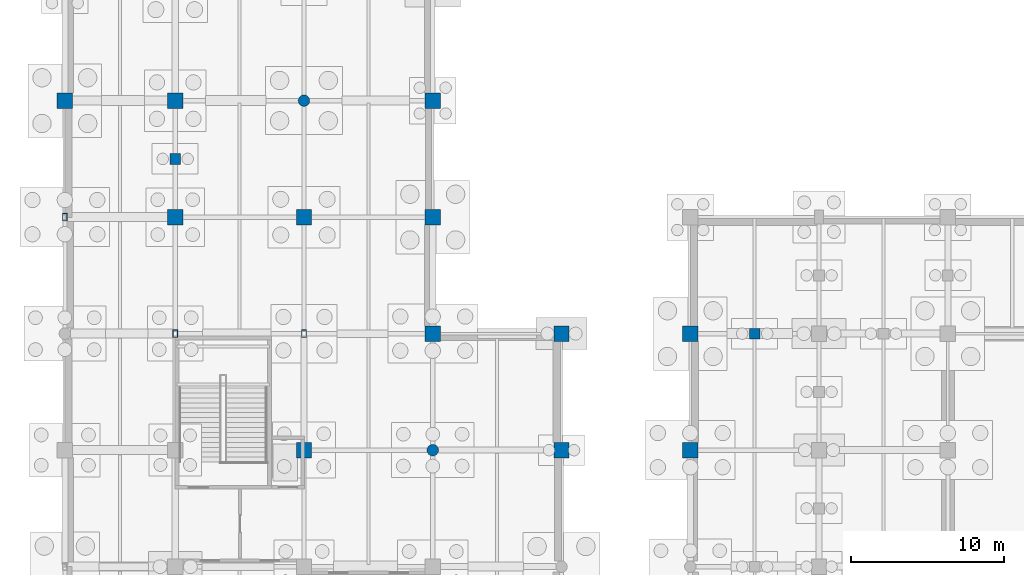
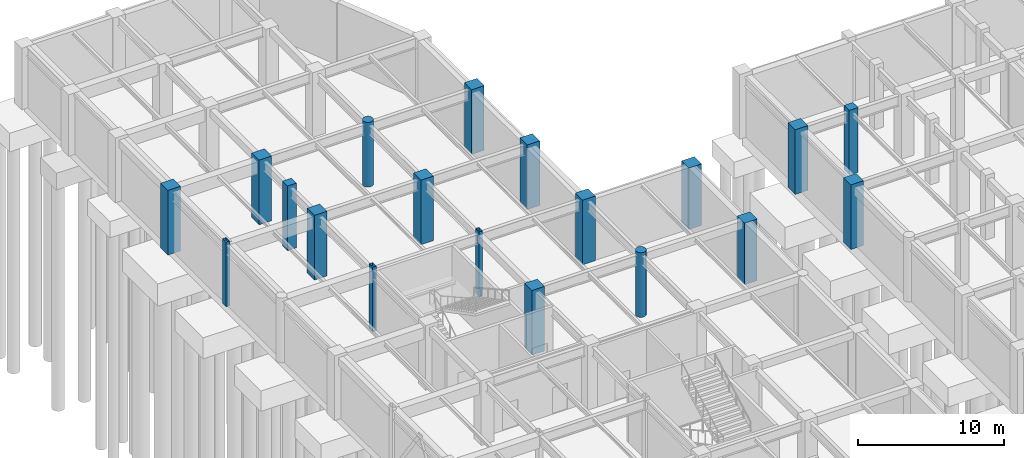
# One storey, part 18 of 52: 19 columns.
"""IFC4 building model written with IfcOpenShell, lengths in metres."""

from ifc_helpers import new_model, si_unit, direction, frame, origin, origin_2d, place, context, subcontext, project, spatial, rectangle, hollow_rectangle, circle, extrude, material, material_profile, profile_set, type_object, element, save


model = new_model("IFC4")

# Units and contexts
model_context = context("Model", 3, precision=1e-05, world=origin(), true_north=direction((0.0, 1.0)))
body_context = subcontext(model_context, "Body", "Model", "MODEL_VIEW")
ifc_project = project(units=[si_unit("LENGTHUNIT", "METRE"), si_unit("AREAUNIT", "SQUARE_METRE"), si_unit("VOLUMEUNIT", "CUBIC_METRE"), si_unit("PLANEANGLEUNIT", "RADIAN"), si_unit("MASSUNIT", "GRAM", prefix="KILO")], contexts=[model_context])

# Site, building, storey
site_placement = place(None, origin())
site = spatial("IfcSite", under=ifc_project, at=site_placement, CompositionType="ELEMENT")
building_placement = place(site_placement, origin())
building = spatial("IfcBuilding", under=site, at=building_placement, Name="Xicomal Pleat Aquarium", CompositionType="ELEMENT")
storey_placement = place(building_placement, frame((0.0, 0.0, -5.39990234375)))
storey = spatial("IfcBuildingStorey", under=building, at=storey_placement, Name="B1", CompositionType="ELEMENT", Elevation=-5.39990234375)

# Columns
ifc_material_1 = material(Name="Concrete C40/50", Category="concrete")
ifc_material_profile_1 = material_profile(ifc_material_1, rectangle(XDim=1.0, YDim=1.0, at=origin_2d()), Name="RC 1000x1000")
ifc_profile_set_1 = profile_set([ifc_material_profile_1], Name="Concrete C40/50")
column_type_1 = type_object("IfcColumnType", Name="COL-RC-1000x1000", PredefinedType="COLUMN", material=ifc_profile_set_1)
for number, where, z_axis, x_axis, name in (
    (1, (3.0, 91.199951171875, 0.0), (0.0, 0.0, 1.0), (1.0, 0.0, 0.0), "B1 column 01/N"),
    (2, (10.199951171875, 83.60009765625, 0.0), (0.0, 0.0, 1.0), (1.0, 0.0, 0.0), "B1 column 02/M"),
    (3, (10.199951171875, 91.199951171875, 0.0), (0.0, 0.0, 1.0), (1.0, 0.0, 0.0), "B1 column 02/N"),
    (4, (18.60009765625, 68.39990234375, 0.0), (0.0, 0.0, 1.0), (1.0, 0.0, 0.0), "B1 column 03/K"),
    (5, (18.60009765625, 83.60009765625, 0.0), (0.0, 0.0, 1.0), (1.0, 0.0, 0.0), "B1 column 03/M"),
    (6, (27.0, 76.0, 0.0), (0.0, 0.0, 1.0), (1.0, 0.0, 0.0), "B1 column 04/L"),
    (7, (27.0, 83.60009765625, 0.0), (0.0, 0.0, 1.0), (1.0, 0.0, 0.0), "B1 column 04/M"),
    (8, (27.0, 91.199951171875, 0.0), (0.0, 0.0, 1.0), (1.0, 0.0, 0.0), "B1 column 04/N"),
):
    element("IfcColumn", number, at=place(storey_placement, frame(where, z_axis=z_axis, x_axis=x_axis)), inside=storey, type_object=column_type_1, Name=name, PredefinedType="COLUMN", context=body_context, shape_type="SweptSolid", body=[
        extrude(rectangle(XDim=1.0, YDim=1.0, at=origin_2d()), origin(), (0.0, 0.0, 1.0), 5.39990234375),
    ])
for number, where, z_axis, x_axis, name in (
    (9, (35.39990234375, 68.39990234375, 0.0), (0.0, 0.0, 1.0), (1.0, 0.0, 0.0), "B1 column 05/K"),
    (10, (35.39990234375, 76.0, 0.0), (0.0, 0.0, 1.0), (1.0, 0.0, 0.0), "B1 column 05/L"),
):
    element("IfcColumn", number, at=place(storey_placement, frame(where, z_axis=z_axis, x_axis=x_axis)), inside=storey, type_object=column_type_1, Name=name, PredefinedType="COLUMN", context=body_context, shape_type="SweptSolid", body=[
        extrude(rectangle(XDim=1.0, YDim=1.0, at=origin_2d()), origin(), (0.0, 0.0, 1.0), 5.139892578125),
    ])
for number, where, z_axis, x_axis, name in (
    (11, (43.800048828125, 68.39990234375, 0.0), (0.0, 0.0, 1.0), (1.0, 0.0, 0.0), "B1 column 06/K"),
    (12, (43.800048828125, 76.0, 0.0), (0.0, 0.0, 1.0), (1.0, 0.0, 0.0), "B1 column 06/L"),
):
    element("IfcColumn", number, at=place(storey_placement, frame(where, z_axis=z_axis, x_axis=x_axis)), inside=storey, type_object=column_type_1, Name=name, PredefinedType="COLUMN", context=body_context, shape_type="SweptSolid", body=[
        extrude(rectangle(XDim=1.0, YDim=1.0, at=origin_2d()), origin(), (0.0, 0.0, 1.0), 5.39990234375),
    ])
ifc_material_2 = material(Name="Concrete C40/50", Category="concrete")
ifc_material_profile_2 = material_profile(ifc_material_2, rectangle(XDim=0.699951171875, YDim=0.699951171875, at=origin_2d()), Name="RC 700x700")
ifc_profile_set_2 = profile_set([ifc_material_profile_2], Name="Concrete C40/50")
column_type_2 = type_object("IfcColumnType", Name="COL-RC-700x700", PredefinedType="COLUMN", material=ifc_profile_set_2)
for number, where, z_axis, x_axis, name in (
    (13, (48.0, 76.0, 0.0), (0.0, 0.0, 1.0), (1.0, 0.0, 0.0), "B1 intermediate support column SUB-05"),
    (14, (10.199951171875, 87.39990234375, 0.0), (0.0, 0.0, 1.0), (1.0, 0.0, 0.0), "B1 intermediate support column SUB-33"),
):
    element("IfcColumn", number, at=place(storey_placement, frame(where, z_axis=z_axis, x_axis=x_axis)), inside=storey, type_object=column_type_2, Name=name, PredefinedType="COLUMN", context=body_context, shape_type="SweptSolid", body=[
        extrude(rectangle(XDim=0.699951171875, YDim=0.699951171875, at=origin_2d()), origin(), (0.0, 0.0, 1.0), 5.39990234375),
    ])
ifc_material_3 = material(Name="Concrete C40/50", Category="concrete")
ifc_material_profile_3 = material_profile(ifc_material_3, circle(Radius=0.375, at=origin_2d()), Name="RCC D750")
ifc_profile_set_3 = profile_set([ifc_material_profile_3], Name="Concrete C40/50")
column_type_3 = type_object("IfcColumnType", Name="COL-RCC-D750", PredefinedType="COLUMN", material=ifc_profile_set_3)
for number, where, z_axis, x_axis, name in (
    (15, (18.60009765625, 91.199951171875, 0.0), (0.0, 0.0, 1.0), (1.0, 0.0, 0.0), "B1 column 03/N"),
    (16, (27.0, 68.39990234375, 0.0), (0.0, 0.0, 1.0), (1.0, 0.0, 0.0), "B1 column 04/K"),
):
    element("IfcColumn", number, at=place(storey_placement, frame(where, z_axis=z_axis, x_axis=x_axis)), inside=storey, type_object=column_type_3, Name=name, PredefinedType="COLUMN", context=body_context, shape_type="SweptSolid", body=[
        extrude(circle(Radius=0.375, at=origin_2d()), origin(), (0.0, 0.0, 1.0), 5.39990234375),
    ])
ifc_material_4 = material(Name="Structural steel A500 Gr C", Category="steel")
ifc_material_profile_4 = material_profile(ifc_material_4, hollow_rectangle(XDim=0.300048828125, YDim=0.5, WallThickness=0.01611328125, at=origin_2d()), Name="OR 500x300x16")
ifc_profile_set_4 = profile_set([ifc_material_profile_4], Name="Structural steel A500 Gr C")
column_type_4 = type_object("IfcColumnType", Name="COL-STL-OR500", PredefinedType="COLUMN", material=ifc_profile_set_4)
for number, where, z_axis, x_axis, name in (
    (17, (3.0, 83.60009765625, 0.0), (0.0, 0.0, 1.0), (1.0, 0.0, 0.0), "B1 column 01/M"),
    (18, (10.199951171875, 76.0, 0.0), (0.0, 0.0, 1.0), (1.0, 0.0, 0.0), "B1 column 02/L"),
    (19, (18.60009765625, 76.0, 0.0), (0.0, 0.0, 1.0), (1.0, 0.0, 0.0), "B1 column 03/L"),
):
    element("IfcColumn", number, at=place(storey_placement, frame(where, z_axis=z_axis, x_axis=x_axis)), inside=storey, type_object=column_type_4, Name=name, PredefinedType="COLUMN", context=body_context, shape_type="SweptSolid", body=[
        extrude(hollow_rectangle(XDim=0.300048828125, YDim=0.5, WallThickness=0.01611328125, at=origin_2d()), origin(), (0.0, 0.0, 1.0), 5.39990234375),
    ])

save(model, "model.ifc")
